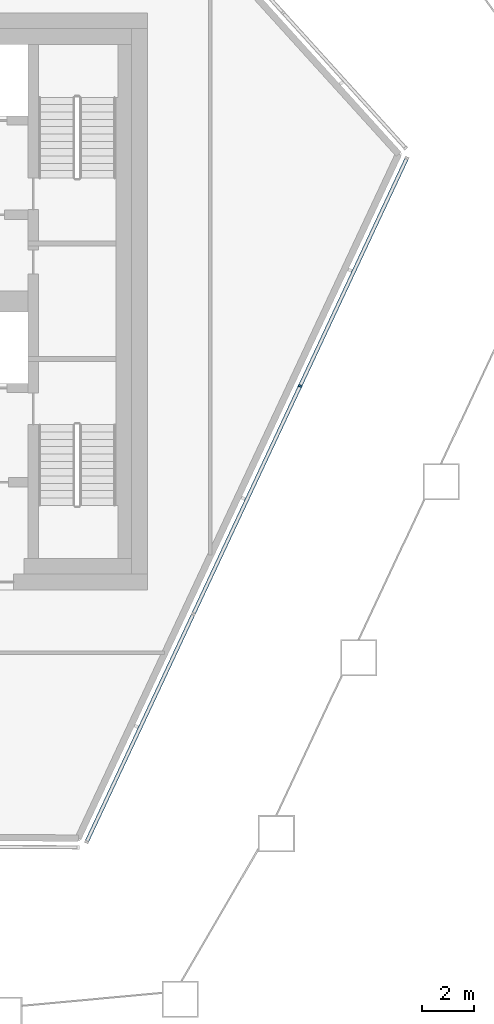
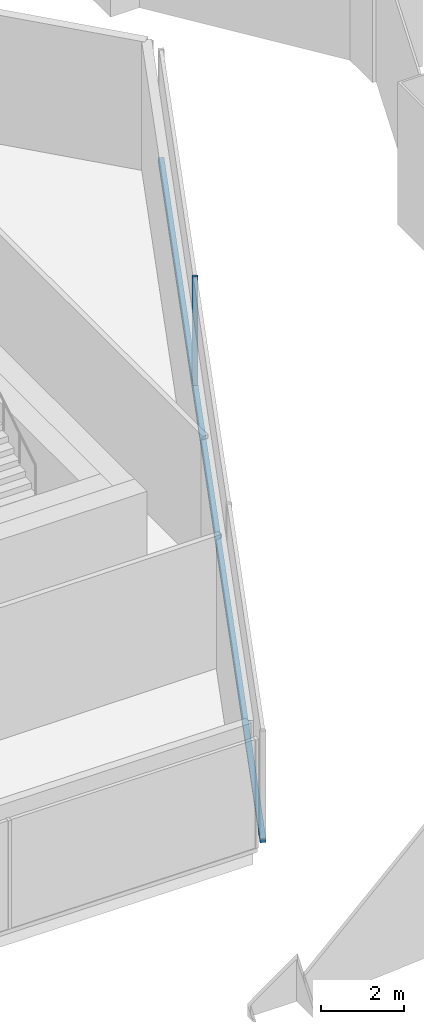
# One storey, part 4 of 18: 2 members, 1 element without a shape of its own.
"""IFC4 building model written with IfcOpenShell, lengths in metres."""

from ifc_helpers import new_model, si_unit, direction, frame, origin, origin_2d, place, context, subcontext, project, spatial, rectangle, extrude, material, layer, layer_set, material_profile, profile_set, type_object, element, aggregate, save


model = new_model("IFC4")

# Units and contexts
model_context = context("Model", 3, precision=1e-05, world=origin(), true_north=direction((0.0, 1.0)))
body_context = subcontext(model_context, "Body", "Model", "MODEL_VIEW")
ifc_project = project(units=[si_unit("LENGTHUNIT", "METRE"), si_unit("AREAUNIT", "SQUARE_METRE"), si_unit("VOLUMEUNIT", "CUBIC_METRE"), si_unit("PLANEANGLEUNIT", "RADIAN"), si_unit("MASSUNIT", "GRAM", prefix="KILO")], contexts=[model_context])

# Site, building, storey
site_placement = place(None, origin())
site = spatial("IfcSite", under=ifc_project, at=site_placement, CompositionType="ELEMENT")
building_placement = place(site_placement, origin())
building = spatial("IfcBuilding", under=site, at=building_placement, Name="Dongbaek Canopy Tower", CompositionType="ELEMENT")
storey_placement = place(building_placement, frame((0.0, 0.0, 371.60009765625)))
storey = spatial("IfcBuildingStorey", under=building, at=storey_placement, Name="L80", CompositionType="ELEMENT", Elevation=371.60009765625)

# Curtain wall, members
ifc_material_1 = material(Name="Aluminium 6063-T6 pale anodised", Category="aluminium")
ifc_layer = layer(ifc_material_1, 0.14990234375)
ifc_layer_set = layer_set([ifc_layer], Name="CW-7 louvre curtain wall")
curtain_wall_type = type_object("IfcCurtainWallType", Name="CW-7 louvre curtain wall", PredefinedType="NOTDEFINED", material=ifc_layer_set)
curtain_wall_placement = place(storey_placement, origin())
curtain_wall = element("IfcCurtainWall", 1, at=curtain_wall_placement, inside=storey, type_object=curtain_wall_type, Name="CW-7 louvre wall L80 F1", PredefinedType="NOTDEFINED")
ifc_material_2 = material(Name="Aluminium 6063-T6 pale anodised", Category="aluminium")
ifc_material_profile_1 = material_profile(ifc_material_2, rectangle(XDim=0.14990234375, YDim=0.080078125, at=origin_2d()), Name="CW-7 mullion 80 x 150")
ifc_profile_set_1 = profile_set([ifc_material_profile_1], Name="Aluminium 6063-T6 pale anodised")
member_type_1 = type_object("IfcMemberType", Name="CW-7 mullion 80 x 150", PredefinedType="MULLION", material=ifc_profile_set_1)
member_1_placement = place(storey_placement, frame((19.827880859375, -3.228759765625, 0.2998046875), z_axis=(0.0, 0.0, 1.0), x_axis=(0.905604659029, -0.42412286138, 0.0)))
member_1 = element("IfcMember", 2, at=member_1_placement, type_object=member_type_1, Name="CW-7 mullion L80 F1.1.3", PredefinedType="MULLION", context=body_context, shape_type="SweptSolid", body=[
    extrude(rectangle(XDim=0.14990234375, YDim=0.080078125, at=origin_2d()), origin(), (0.0, 0.0, 1.0), 3.2001953125),
])
ifc_material_3 = material(Name="Aluminium 6063-T6 pale anodised", Category="aluminium")
ifc_material_profile_2 = material_profile(ifc_material_3, rectangle(XDim=0.14990234375, YDim=0.1201171875, at=origin_2d()), Name="CW-7 transom 120 x 150")
ifc_profile_set_2 = profile_set([ifc_material_profile_2], Name="Aluminium 6063-T6 pale anodised")
member_type_2 = type_object("IfcMemberType", Name="CW-7 transom 120 x 150", PredefinedType="USERDEFINED", material=ifc_profile_set_2)
member_2_placement = place(storey_placement, frame((11.684326171875, -20.6171875, 0.239990234375), z_axis=(0.424125024155, 0.905603646131, 0.0), x_axis=(-0.905603646131, 0.424125024155, 0.0)))
member_2 = element("IfcMember", 3, at=member_2_placement, type_object=member_type_2, Name="CW-7 transom L80 F1.1", ObjectType="TRANSOM", PredefinedType="USERDEFINED", context=body_context, shape_type="SweptSolid", body=[
    extrude(rectangle(XDim=0.14990234375, YDim=0.1201171875, at=origin_2d()), origin(), (0.0, 0.0, 1.0), 28.80126953125),
])
aggregate(curtain_wall, [member_2, member_1])

save(model, "model.ifc")
